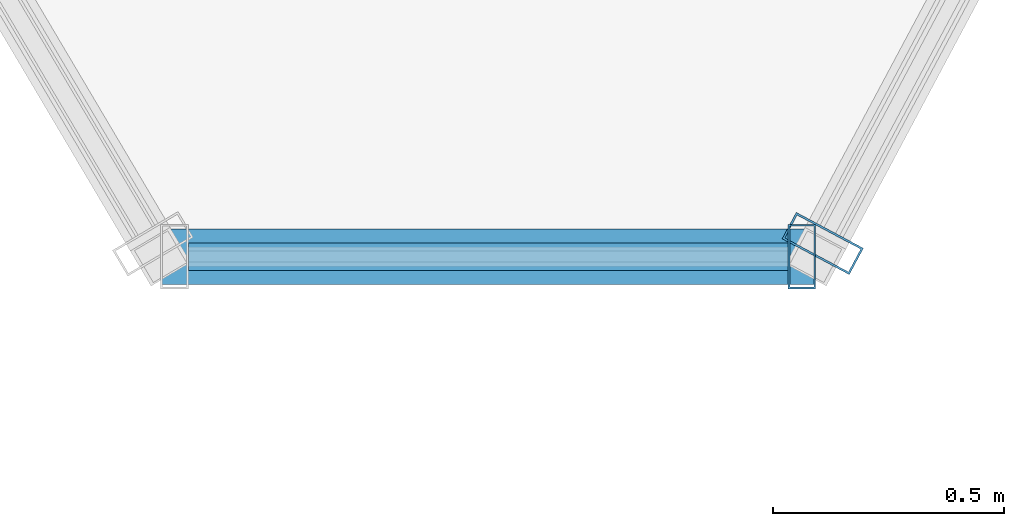
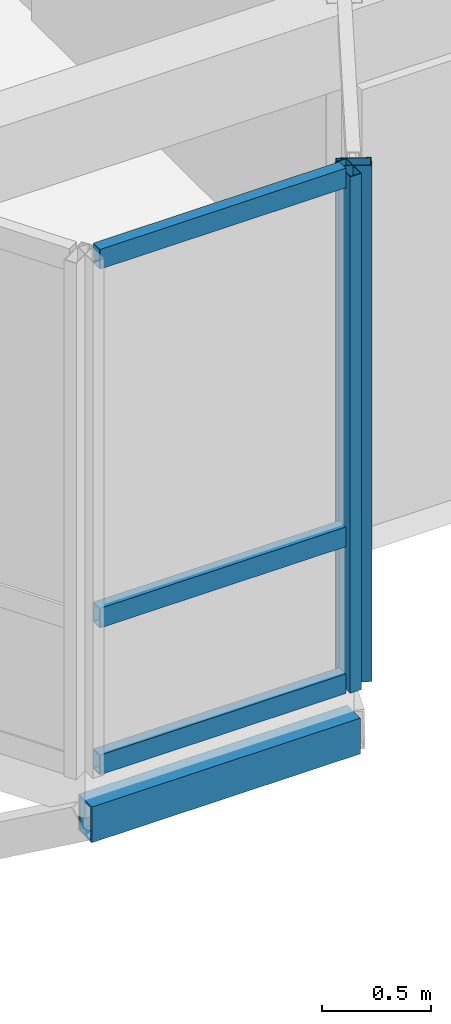
# One storey, part 33 of 65: 6 members, 2 elements without a shape of their own.
"""IFC4 building model written with IfcOpenShell, lengths in metres."""

from ifc_helpers import new_model, si_unit, direction, frame, origin, origin_2d, place, context, subcontext, project, spatial, hollow_rectangle, extrude, material, layer, layer_set, material_profile, profile_set, type_object, element, aggregate, save


model = new_model("IFC4")

# Units and contexts
model_context = context("Model", 3, precision=1e-05, world=origin(), true_north=direction((0.0, 1.0)))
body_context = subcontext(model_context, "Body", "Model", "MODEL_VIEW")
ifc_project = project(units=[si_unit("LENGTHUNIT", "METRE"), si_unit("AREAUNIT", "SQUARE_METRE"), si_unit("VOLUMEUNIT", "CUBIC_METRE"), si_unit("PLANEANGLEUNIT", "RADIAN"), si_unit("MASSUNIT", "GRAM", prefix="KILO"), si_unit("THERMODYNAMICTEMPERATUREUNIT", "KELVIN"), si_unit("POWERUNIT", "WATT")], contexts=[model_context])

# Site, building, storey
site_placement = place(None, origin())
site = spatial("IfcSite", under=ifc_project, at=site_placement, CompositionType="ELEMENT")
building_placement = place(site_placement, origin())
building = spatial("IfcBuilding", under=site, at=building_placement, Name="Tavuni Mirador Residences", CompositionType="ELEMENT")
storey_placement = place(building_placement, frame((0.0, 0.0, 29.699951171875)))
storey = spatial("IfcBuildingStorey", under=building, at=storey_placement, Name="L09", CompositionType="ELEMENT", Elevation=29.699951171875)

# Curtain wall, member
ifc_material_1 = material(Name="Anodised aluminium", Category="aluminium")
ifc_layer_1 = layer(ifc_material_1, 0.1650390625, Name="Anodised aluminium", Category="aluminium")
ifc_layer_set_1 = layer_set([ifc_layer_1], Name="Anodised aluminium")
curtain_wall_type_1 = type_object("IfcCurtainWallType", Name="CWT-MIR-A", PredefinedType="NOTDEFINED", material=ifc_layer_set_1)
curtain_wall_1_placement = place(storey_placement, origin())
curtain_wall_1 = element("IfcCurtainWall", 1, at=curtain_wall_1_placement, inside=storey, type_object=curtain_wall_type_1, Name="CW-MIR-C-S3-L09-MF", PredefinedType="NOTDEFINED")
ifc_material_profile_1 = material_profile(ifc_material_1, hollow_rectangle(XDim=0.06005859375, YDim=0.139892578125, WallThickness=0.00390625, at=origin_2d()), Name="ALU 60x140x4.0", Category="aluminium")
ifc_profile_set_1 = profile_set([ifc_material_profile_1], Name="Anodised aluminium")
member_type_1 = type_object("IfcMemberType", Name="CWM-140", PredefinedType="MULLION", material=ifc_profile_set_1)
member_1_placement = place(storey_placement, frame((49.14990234375, 142.800048828125, 0.0), z_axis=(0.0, 0.0, 1.0), x_axis=(1.0, 0.0, 0.0)))
member_1 = element("IfcMember", 2, at=member_1_placement, type_object=member_type_1, Name="CW-01 mullion 2", PredefinedType="MULLION", context=body_context, shape_type="SweptSolid", body=[
    extrude(hollow_rectangle(XDim=0.06005859375, YDim=0.139892578125, WallThickness=0.00390625, at=origin_2d()), origin(), (0.0, 0.0, 1.0), 2.885009765625),
])

ifc_layer_2 = layer(ifc_material_1, 0.14990234375, Name="Anodised aluminium", Category="aluminium")
ifc_layer_set_2 = layer_set([ifc_layer_2], Name="Anodised aluminium")
curtain_wall_type_2 = type_object("IfcCurtainWallType", Name="CWT-MIR-B", PredefinedType="NOTDEFINED", material=ifc_layer_set_2)
curtain_wall_2_placement = place(storey_placement, origin())
curtain_wall_2 = element("IfcCurtainWall", 3, at=curtain_wall_2_placement, inside=storey, type_object=curtain_wall_type_2, Name="CW-MIR-C-S3-L09-M2", PredefinedType="NOTDEFINED")
ifc_material_profile_2 = material_profile(ifc_material_1, hollow_rectangle(XDim=0.06494140625, YDim=0.1650390625, WallThickness=0.00439453125, at=origin_2d()), Name="ALU 65x165x4.5", Category="aluminium")
ifc_profile_set_2 = profile_set([ifc_material_profile_2], Name="Anodised aluminium")
member_type_2 = type_object("IfcMemberType", Name="CWM-165", PredefinedType="MULLION", material=ifc_profile_set_2)
member_2_placement = place(storey_placement, frame((49.1953125, 142.82861328125, 0.0), z_axis=(0.0, 0.0, 1.0), x_axis=(0.470588235296, 0.882352941175, 0.0)))
member_2 = element("IfcMember", 4, at=member_2_placement, type_object=member_type_2, Name="CW-02 mullion 1", PredefinedType="MULLION", context=body_context, shape_type="SweptSolid", body=[
    extrude(hollow_rectangle(XDim=0.06494140625, YDim=0.1650390625, WallThickness=0.00439453125, at=origin_2d()), origin(), (0.0, 0.0, 1.0), 2.885009765625),
])
aggregate(curtain_wall_2, [member_2])

# Member
ifc_material_profile_3 = material_profile(ifc_material_1, hollow_rectangle(XDim=0.06005859375, YDim=0.110107421875, WallThickness=0.00390625, at=origin_2d()), Name="ALU 60x110x4.0", Category="aluminium")
ifc_profile_set_3 = profile_set([ifc_material_profile_3], Name="Anodised aluminium")
member_type_3 = type_object("IfcMemberType", Name="CWT-110", PredefinedType="USERDEFINED", material=ifc_profile_set_3)
member_3_placement = place(storey_placement, frame((47.820068359375, 142.800048828125, 0.030029296875), z_axis=(1.0, 0.0, 0.0), x_axis=(0.0, 1.0, 0.0)))
member_3 = element("IfcMember", 5, at=member_3_placement, type_object=member_type_3, Name="CW-01 transom 1.1", ObjectType="TRANSOM", PredefinedType="USERDEFINED", context=body_context, shape_type="SweptSolid", body=[
    extrude(hollow_rectangle(XDim=0.06005859375, YDim=0.110107421875, WallThickness=0.00390625, at=origin_2d()), origin(), (0.0, 0.0, 1.0), 1.300048828125),
])

member_4_placement = place(storey_placement, frame((47.820068359375, 142.800048828125, 0.85009765625), z_axis=(1.0, 0.0, 0.0), x_axis=(0.0, 1.0, 0.0)))
member_4 = element("IfcMember", 6, at=member_4_placement, type_object=member_type_3, Name="CW-01 transom 1.2", ObjectType="TRANSOM", PredefinedType="USERDEFINED", context=body_context, shape_type="SweptSolid", body=[
    extrude(hollow_rectangle(XDim=0.06005859375, YDim=0.110107421875, WallThickness=0.00390625, at=origin_2d()), origin(), (0.0, 0.0, 1.0), 1.300048828125),
])

member_5_placement = place(storey_placement, frame((47.820068359375, 142.800048828125, 2.85498046875), z_axis=(1.0, 0.0, 0.0), x_axis=(0.0, 1.0, 0.0)))
member_5 = element("IfcMember", 7, at=member_5_placement, type_object=member_type_3, Name="CW-01 transom 1.3", ObjectType="TRANSOM", PredefinedType="USERDEFINED", context=body_context, shape_type="SweptSolid", body=[
    extrude(hollow_rectangle(XDim=0.06005859375, YDim=0.110107421875, WallThickness=0.00390625, at=origin_2d()), origin(), (0.0, 0.0, 1.0), 1.300048828125),
])

aggregate(curtain_wall_1, [member_1, member_3, member_4, member_5])

ifc_material_2 = material(Name="Structural steel S355", Category="steel")
ifc_material_profile_4 = material_profile(ifc_material_2, hollow_rectangle(XDim=0.1201171875, YDim=0.199951171875, WallThickness=0.010009765625, at=origin_2d()), Name="RHS 200x120x10.0", Category="steel")
ifc_profile_set_4 = profile_set([ifc_material_profile_4], Name="Structural steel S355")
member_type_4 = type_object("IfcMemberType", Name="MT-ST-RHS200", PredefinedType="STRUT", material=ifc_profile_set_4)
member_6_placement = place(storey_placement, frame((47.760009765625, 142.800048828125, -0.264892578125), z_axis=(1.0, 0.0, 0.0), x_axis=(0.0, 1.0, 0.0)))
element("IfcMember", 8, at=member_6_placement, inside=storey, type_object=member_type_4, Name="MRIM-MIR-C-S3-L09", PredefinedType="STRUT", context=body_context, shape_type="SweptSolid", body=[
    extrude(hollow_rectangle(XDim=0.1201171875, YDim=0.199951171875, WallThickness=0.010009765625, at=origin_2d()), origin(), (0.0, 0.0, 1.0), 1.419921875),
])

save(model, "model.ifc")
